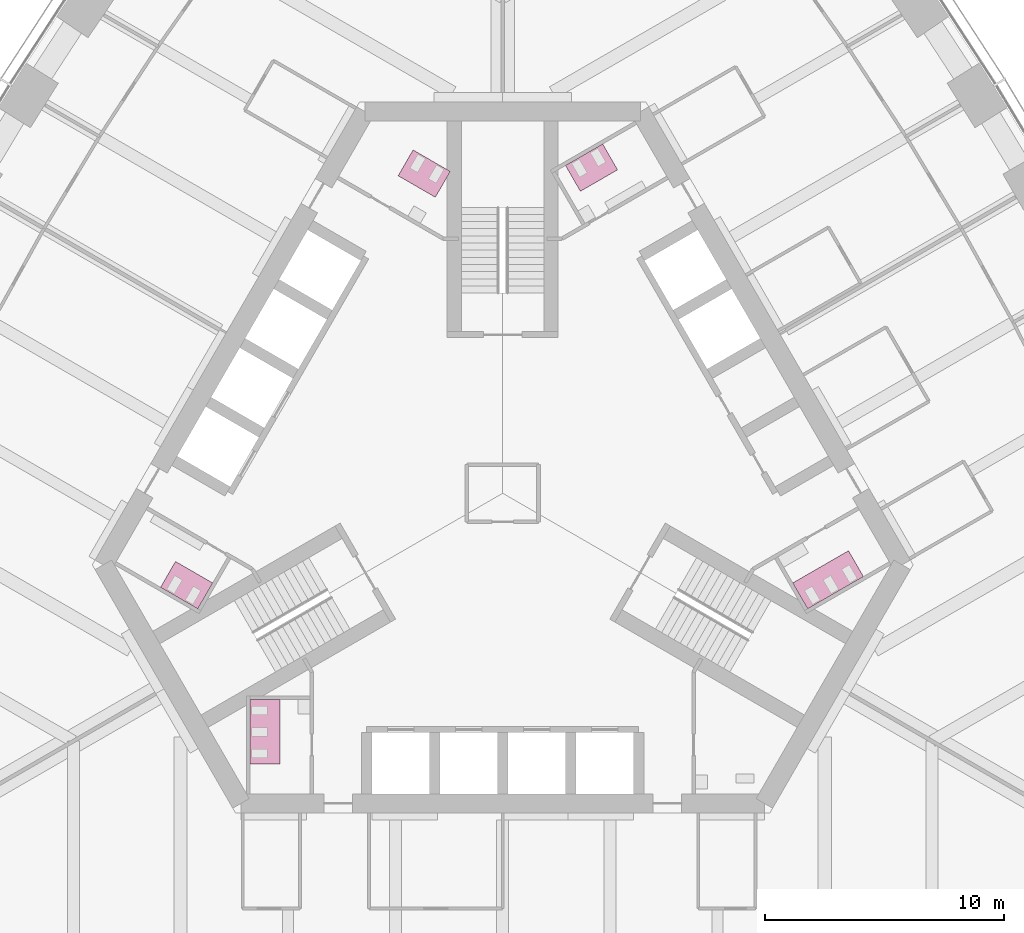
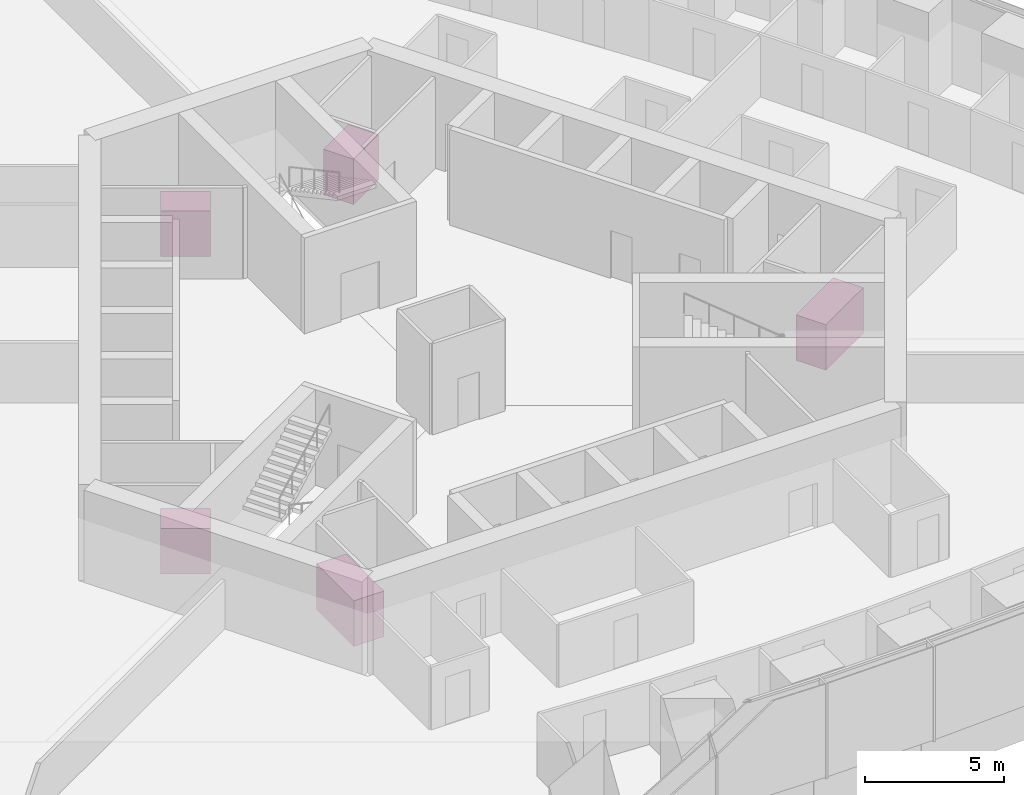
# One storey, part 19 of 19: 5 furniture elements.
"""IFC4 building model written with IfcOpenShell, lengths in metres."""

from ifc_helpers import new_model, si_unit, direction, frame, origin, place, context, subcontext, project, spatial, polyline, outline, extrude, material, type_object, element, save


model = new_model("IFC4")

# Units and contexts
model_context = context("Model", 3, precision=1e-05, world=origin(), true_north=direction((0.0, 1.0)))
body_context = subcontext(model_context, "Body", "Model", "MODEL_VIEW")
ifc_project = project(units=[si_unit("LENGTHUNIT", "METRE"), si_unit("AREAUNIT", "SQUARE_METRE"), si_unit("VOLUMEUNIT", "CUBIC_METRE"), si_unit("PLANEANGLEUNIT", "RADIAN"), si_unit("MASSUNIT", "GRAM", prefix="KILO")], contexts=[model_context])

# Site, building, storey
site_placement = place(None, origin())
site = spatial("IfcSite", under=ifc_project, at=site_placement, CompositionType="ELEMENT")
building_placement = place(site_placement, origin())
building = spatial("IfcBuilding", under=site, at=building_placement, Name="Trefoil Bronze Tower", CompositionType="ELEMENT")
storey_placement = place(building_placement, frame((0.0, 0.0, 107.300048828125)))
storey = spatial("IfcBuildingStorey", under=building, at=storey_placement, Name="L24", CompositionType="ELEMENT", Elevation=107.300048828125)

# Furniture
ifc_material_1 = material(Name="Compact laminate cubicles", Category="plastic")
furniture_type_1 = type_object("IfcFurnitureType", Name="WC cubicle range 2 cubicles", AssemblyPlace="FACTORY", PredefinedType="USERDEFINED", material=ifc_material_1)
furniture_1_placement = place(storey_placement, origin())
element("IfcFurniture", 1, at=furniture_1_placement, inside=storey, type_object=furniture_type_1, Name="WC cubicle range WC (men) L24", ObjectType="WC cubicle range", PredefinedType="USERDEFINED", context=body_context, shape_type="SweptSolid", body=[
    extrude(outline(polyline([(3.256591796875, 12.659423828125), (2.631591796875, 13.741943359375), (4.1904296875, 14.641845703125), (4.8154296875, 13.559326171875), (3.256591796875, 12.659423828125)])), origin(), (0.0, 0.0, 1.0), 2.0),
])
furniture_2_placement = place(storey_placement, origin())
element("IfcFurniture", 2, at=furniture_2_placement, inside=storey, type_object=furniture_type_1, Name="WC cubicle range WC (women) L24", ObjectType="WC cubicle range", PredefinedType="USERDEFINED", context=body_context, shape_type="SweptSolid", body=[
    extrude(outline(polyline([(-2.82373046875, 12.409423828125), (-2.19873046875, 13.491943359375), (-3.757568359375, 14.391845703125), (-4.382568359375, 13.309326171875), (-2.82373046875, 12.409423828125)])), origin(), (0.0, 0.0, 1.0), 2.0),
])
furniture_3_placement = place(storey_placement, origin())
element("IfcFurniture", 3, at=furniture_3_placement, inside=storey, type_object=furniture_type_1, Name="WC cubicle range WC (men) L24", ObjectType="WC cubicle range", PredefinedType="USERDEFINED", context=body_context, shape_type="SweptSolid", body=[
    extrude(outline(polyline([(-12.15869140625, -3.75927734375), (-12.78369140625, -4.841796875), (-14.342529296875, -3.94189453125), (-13.717529296875, -2.859375), (-12.15869140625, -3.75927734375)])), origin(), (0.0, 0.0, 1.0), 2.0),
])
ifc_material_2 = material(Name="Compact laminate cubicles", Category="plastic")
furniture_type_2 = type_object("IfcFurnitureType", Name="WC cubicle range 3 cubicles", AssemblyPlace="FACTORY", PredefinedType="USERDEFINED", material=ifc_material_2)
furniture_4_placement = place(storey_placement, origin())
element("IfcFurniture", 4, at=furniture_4_placement, inside=storey, type_object=furniture_type_2, Name="WC cubicle range WC (women) L24", ObjectType="WC cubicle range", PredefinedType="USERDEFINED", context=body_context, shape_type="SweptSolid", body=[
    extrude(outline(polyline([(12.15869140625, -3.75927734375), (12.78369140625, -4.841796875), (15.121826171875, -3.491943359375), (14.496826171875, -2.409423828125), (12.15869140625, -3.75927734375)])), origin(), (0.0, 0.0, 1.0), 2.0),
])
furniture_5_placement = place(storey_placement, origin())
element("IfcFurniture", 5, at=furniture_5_placement, inside=storey, type_object=furniture_type_2, Name="WC cubicle range WC (women) L24", ObjectType="WC cubicle range", PredefinedType="USERDEFINED", context=body_context, shape_type="SweptSolid", body=[
    extrude(outline(polyline([(-9.3349609375, -8.64990234375), (-10.5849609375, -8.64990234375), (-10.5849609375, -11.35009765625), (-9.3349609375, -11.35009765625), (-9.3349609375, -8.64990234375)])), origin(), (0.0, 0.0, 1.0), 2.0),
])

save(model, "model.ifc")
